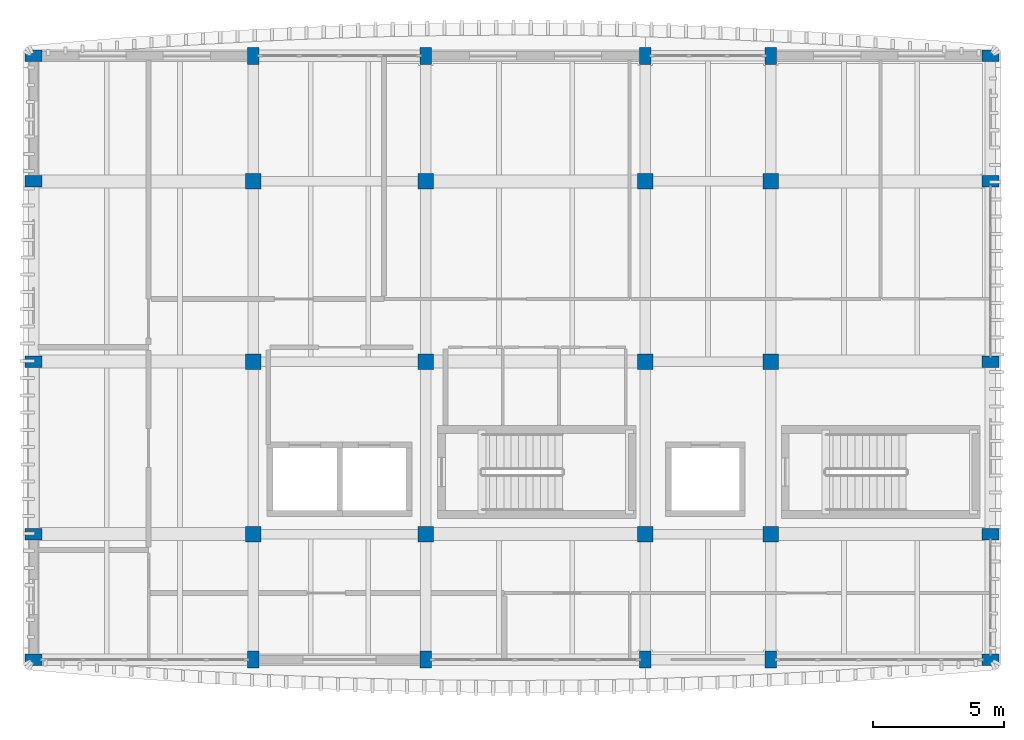
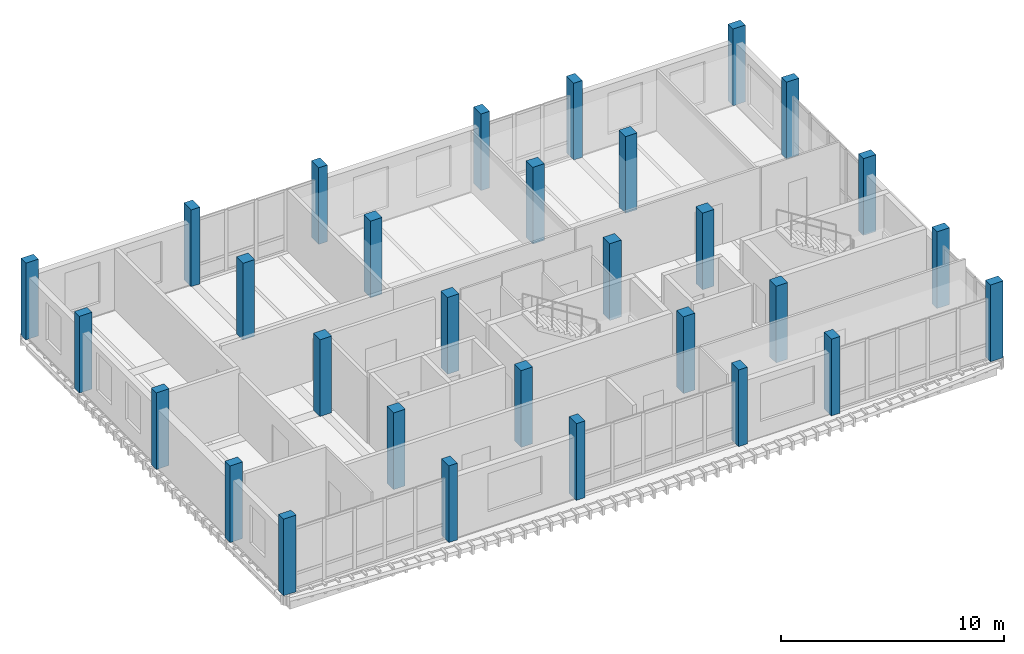
# One storey, part 1 of 16: 30 columns.
"""IFC4 building model written with IfcOpenShell, lengths in metres."""

from ifc_helpers import new_model, si_unit, direction, frame, origin, origin_2d, place, context, subcontext, project, spatial, rectangle, extrude, material, material_profile, profile_set, type_object, element, save


model = new_model("IFC4")

# Units and contexts
model_context = context("Model", 3, precision=1e-05, world=origin(), true_north=direction((0.0, 1.0)))
body_context = subcontext(model_context, "Body", "Model", "MODEL_VIEW")
ifc_project = project(units=[si_unit("LENGTHUNIT", "METRE"), si_unit("AREAUNIT", "SQUARE_METRE"), si_unit("VOLUMEUNIT", "CUBIC_METRE"), si_unit("PLANEANGLEUNIT", "RADIAN"), si_unit("MASSUNIT", "GRAM", prefix="KILO")], contexts=[model_context])

# Site, building, storey
site_placement = place(None, origin())
site = spatial("IfcSite", under=ifc_project, at=site_placement, CompositionType="ELEMENT")
building_placement = place(site_placement, origin())
building = spatial("IfcBuilding", under=site, at=building_placement, Name="Dornvale Research Institute", CompositionType="ELEMENT")
storey_placement = place(building_placement, frame((0.0, 0.0, 42.60009765625)))
storey = spatial("IfcBuildingStorey", under=building, at=storey_placement, Name="L09", CompositionType="ELEMENT", Elevation=42.60009765625)

# Columns
ifc_material_1 = material(Name="Concrete f'c 45 MPa (C35/45)", Category="concrete")
ifc_material_profile_1 = material_profile(ifc_material_1, rectangle(XDim=0.60009765625, YDim=0.60009765625, at=origin_2d()), Name="RC 600x600")
ifc_profile_set_1 = profile_set([ifc_material_profile_1], Name="Concrete f'c 45 MPa (C35/45)")
column_type_1 = type_object("IfcColumnType", Name="Column_RC600", PredefinedType="COLUMN", material=ifc_profile_set_1)
for number, where, z_axis, x_axis, name in (
    (1, (13.199951171875, 103.800048828125, 0.0), (0.0, 0.0, 1.0), (1.0, 0.0, 0.0), "L09 column #372"),
    (2, (13.199951171875, 110.39990234375, 0.0), (0.0, 0.0, 1.0), (1.0, 0.0, 0.0), "L09 column #373"),
    (3, (13.199951171875, 117.300048828125, 0.0), (0.0, 0.0, 1.0), (1.0, 0.0, 0.0), "L09 column #374"),
    (4, (19.800048828125, 103.800048828125, 0.0), (0.0, 0.0, 1.0), (1.0, 0.0, 0.0), "L09 column #377"),
    (5, (19.800048828125, 110.39990234375, 0.0), (0.0, 0.0, 1.0), (1.0, 0.0, 0.0), "L09 column #378"),
    (6, (19.800048828125, 117.300048828125, 0.0), (0.0, 0.0, 1.0), (1.0, 0.0, 0.0), "L09 column #379"),
    (7, (28.199951171875, 103.800048828125, 0.0), (0.0, 0.0, 1.0), (1.0, 0.0, 0.0), "L09 column #382"),
    (8, (28.199951171875, 110.39990234375, 0.0), (0.0, 0.0, 1.0), (1.0, 0.0, 0.0), "L09 column #383"),
    (9, (28.199951171875, 117.300048828125, 0.0), (0.0, 0.0, 1.0), (1.0, 0.0, 0.0), "L09 column #384"),
    (10, (33.0, 103.800048828125, 0.0), (0.0, 0.0, 1.0), (1.0, 0.0, 0.0), "L09 column #387"),
    (11, (33.0, 110.39990234375, 0.0), (0.0, 0.0, 1.0), (1.0, 0.0, 0.0), "L09 column #388"),
    (12, (33.0, 117.300048828125, 0.0), (0.0, 0.0, 1.0), (1.0, 0.0, 0.0), "L09 column #389"),
):
    element("IfcColumn", number, at=place(storey_placement, frame(where, z_axis=z_axis, x_axis=x_axis)), inside=storey, type_object=column_type_1, Name=name, PredefinedType="COLUMN", context=body_context, shape_type="SweptSolid", body=[
        extrude(rectangle(XDim=0.60009765625, YDim=0.60009765625, at=origin_2d()), origin(), (0.0, 0.0, 1.0), 4.199951171875),
    ])
ifc_material_2 = material(Name="Concrete f'c 45 MPa (C35/45)", Category="concrete")
ifc_material_profile_2 = material_profile(ifc_material_2, rectangle(XDim=0.449951171875, YDim=0.64990234375, at=origin_2d()), Name="RC 450x650")
ifc_profile_set_2 = profile_set([ifc_material_profile_2], Name="Concrete f'c 45 MPa (C35/45)")
column_type_2 = type_object("IfcColumnType", Name="Pilaster_RC450x650_Ext", PredefinedType="PILASTER", material=ifc_profile_set_2)
for number, where, z_axis, x_axis, name in (
    (13, (4.800048828125, 99.0, 0.0), (0.0, 0.0, 1.0), (0.0, 1.0, 0.0), "L09 column #366"),
    (14, (4.800048828125, 103.800048828125, 0.0), (0.0, 0.0, 1.0), (0.0, 1.0, 0.0), "L09 column #367"),
    (15, (4.800048828125, 110.39990234375, 0.0), (0.0, 0.0, 1.0), (0.0, 1.0, 0.0), "L09 column #368"),
    (16, (4.800048828125, 117.300048828125, 0.0), (0.0, 0.0, 1.0), (0.0, 1.0, 0.0), "L09 column #369"),
    (17, (4.800048828125, 122.10009765625, 0.0), (0.0, 0.0, 1.0), (0.0, 1.0, 0.0), "L09 column #370"),
    (18, (13.199951171875, 99.0, 0.0), (0.0, 0.0, 1.0), (1.0, 0.0, 0.0), "L09 column #371"),
    (19, (13.199951171875, 122.10009765625, 0.0), (0.0, 0.0, 1.0), (1.0, 0.0, 0.0), "L09 column #375"),
    (20, (19.800048828125, 99.0, 0.0), (0.0, 0.0, 1.0), (1.0, 0.0, 0.0), "L09 column #376"),
    (21, (19.800048828125, 122.10009765625, 0.0), (0.0, 0.0, 1.0), (1.0, 0.0, 0.0), "L09 column #380"),
    (22, (28.199951171875, 99.0, 0.0), (0.0, 0.0, 1.0), (1.0, 0.0, 0.0), "L09 column #381"),
    (23, (28.199951171875, 122.10009765625, 0.0), (0.0, 0.0, 1.0), (1.0, 0.0, 0.0), "L09 column #385"),
    (24, (33.0, 99.0, 0.0), (0.0, 0.0, 1.0), (1.0, 0.0, 0.0), "L09 column #386"),
    (25, (33.0, 122.10009765625, 0.0), (0.0, 0.0, 1.0), (1.0, 0.0, 0.0), "L09 column #390"),
    (26, (41.39990234375, 99.0, 0.0), (0.0, 0.0, 1.0), (0.0, 1.0, 0.0), "L09 column #391"),
    (27, (41.39990234375, 103.800048828125, 0.0), (0.0, 0.0, 1.0), (0.0, 1.0, 0.0), "L09 column #392"),
    (28, (41.39990234375, 110.39990234375, 0.0), (0.0, 0.0, 1.0), (0.0, 1.0, 0.0), "L09 column #393"),
    (29, (41.39990234375, 117.300048828125, 0.0), (0.0, 0.0, 1.0), (0.0, 1.0, 0.0), "L09 column #394"),
    (30, (41.39990234375, 122.10009765625, 0.0), (0.0, 0.0, 1.0), (0.0, 1.0, 0.0), "L09 column #395"),
):
    element("IfcColumn", number, at=place(storey_placement, frame(where, z_axis=z_axis, x_axis=x_axis)), inside=storey, type_object=column_type_2, Name=name, PredefinedType="PILASTER", context=body_context, shape_type="SweptSolid", body=[
        extrude(rectangle(XDim=0.449951171875, YDim=0.64990234375, at=origin_2d()), origin(), (0.0, 0.0, 1.0), 4.199951171875),
    ])

save(model, "model.ifc")
